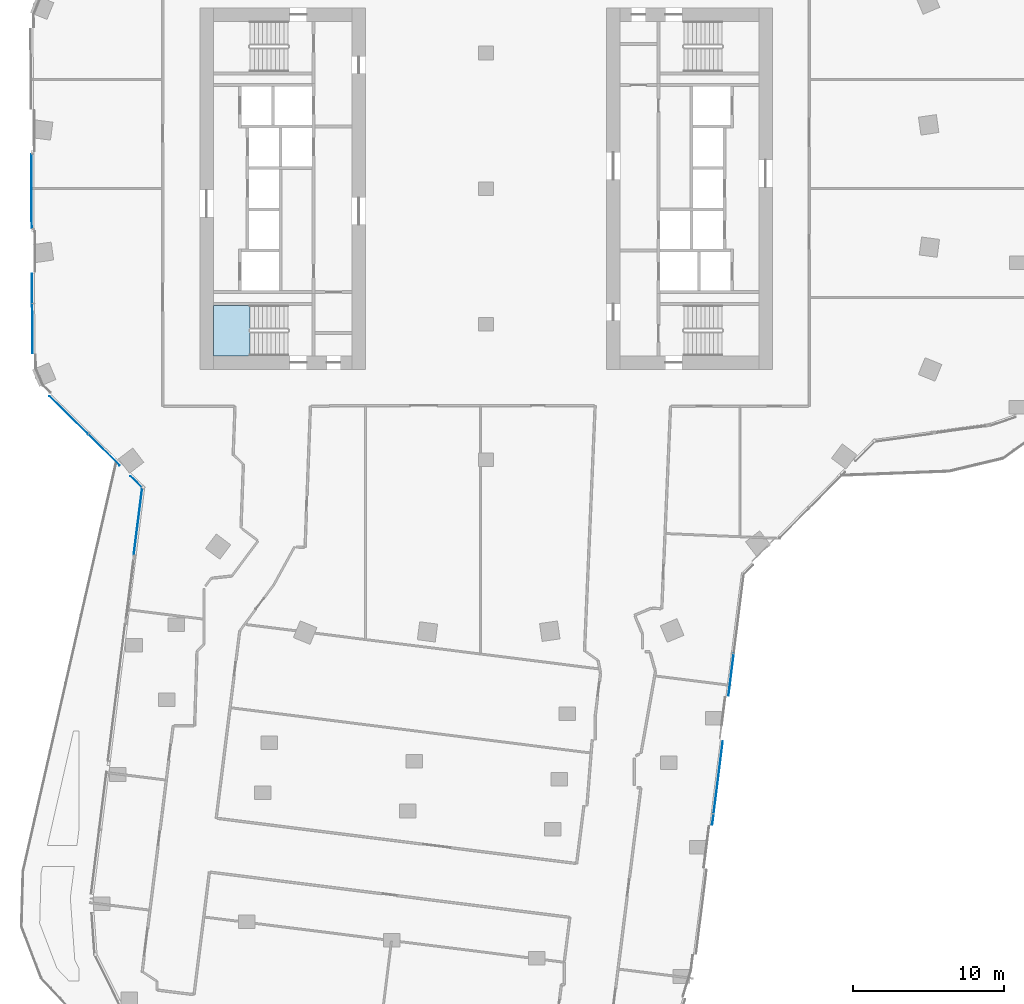
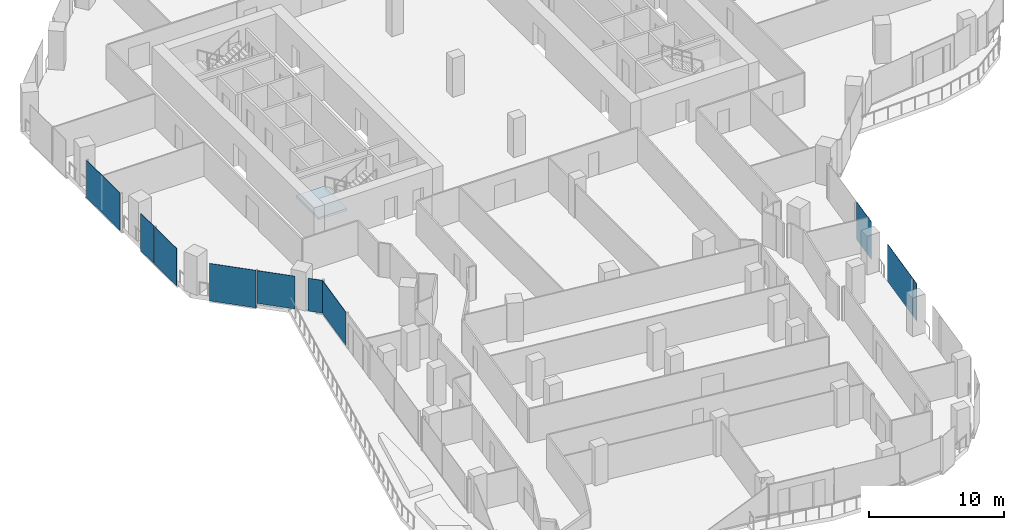
# One storey, part 14 of 29: 10 plates, 1 slab, 5 elements without a shape of their own.
"""IFC4 building model written with IfcOpenShell, lengths in metres."""

from ifc_helpers import new_model, si_unit, direction, frame, origin, origin_2d, place, context, subcontext, project, spatial, polyline, rectangle, outline, extrude, material, layer, layer_set, type_object, element, aggregate, save


model = new_model("IFC4")

# Units and contexts
model_context = context("Model", 3, precision=1e-05, world=origin(), true_north=direction((0.0, 1.0)))
body_context = subcontext(model_context, "Body", "Model", "MODEL_VIEW")
ifc_project = project(units=[si_unit("LENGTHUNIT", "METRE"), si_unit("AREAUNIT", "SQUARE_METRE"), si_unit("VOLUMEUNIT", "CUBIC_METRE"), si_unit("PLANEANGLEUNIT", "RADIAN"), si_unit("MASSUNIT", "GRAM", prefix="KILO")], contexts=[model_context])

# Site, building, storey
site_placement = place(None, origin())
site = spatial("IfcSite", under=ifc_project, at=site_placement, CompositionType="ELEMENT")
building_placement = place(site_placement, origin())
building = spatial("IfcBuilding", under=site, at=building_placement, Name="Orlundy Tower", CompositionType="ELEMENT")
storey_placement = place(building_placement, frame((0.0, 0.0, 188.60009765625)))
storey = spatial("IfcBuildingStorey", under=building, at=storey_placement, Name="L49", CompositionType="ELEMENT", Elevation=188.60009765625)

# Curtain wall, plate
ifc_material_1 = material(Name="Aluminium bronze anodised", Category="aluminium")
curtain_wall_type = type_object("IfcCurtainWallType", Name="CW1 wall", PredefinedType="NOTDEFINED", material=ifc_material_1)
curtain_wall_1_placement = place(storey_placement, origin())
curtain_wall_1 = element("IfcCurtainWall", 1, at=curtain_wall_1_placement, inside=storey, type_object=curtain_wall_type, Name="CW1 run 00", PredefinedType="NOTDEFINED")
ifc_material_2 = material(Name="Tinted glass", Category="glass")
ifc_layer_1 = layer(ifc_material_2, 0.031982421875)
ifc_layer_set_1 = layer_set([ifc_layer_1], Name="CW1 glass panel 32")
plate_type = type_object("IfcPlateType", Name="CW1 glass panel 32", PredefinedType="CURTAIN_PANEL", material=ifc_layer_set_1)
plate_1_placement = place(storey_placement, frame((-23.099365234375, -22.08056640625, 0.119873046875), z_axis=(0.0, 0.0, 1.0), x_axis=(0.124763360518, 0.992186526754, 0.0)))
plate_1 = element("IfcPlate", 2, at=plate_1_placement, type_object=plate_type, Name="CW1 panel", PredefinedType="CURTAIN_PANEL", context=body_context, shape_type="SweptSolid", body=[
    extrude(rectangle(XDim=4.48291015625, YDim=0.031982421875, at=origin_2d()), origin(), (0.0, 0.0, 1.0), 2.9599609375),
])
aggregate(curtain_wall_1, [plate_1])

# Curtain wall, plates
curtain_wall_2_placement = place(storey_placement, origin())
curtain_wall_2 = element("IfcCurtainWall", 3, at=curtain_wall_2_placement, inside=storey, type_object=curtain_wall_type, Name="CW1 run 01", PredefinedType="NOTDEFINED")
plate_2_placement = place(storey_placement, frame((-23.206298828125, -19.474853515625, 0.119873046875), z_axis=(0.0, 0.0, 1.0), x_axis=(-0.711197941896, 0.702991811789, 0.0)))
plate_2 = element("IfcPlate", 4, at=plate_2_placement, type_object=plate_type, Name="CW1 panel", PredefinedType="CURTAIN_PANEL", context=body_context, shape_type="SweptSolid", body=[
    extrude(rectangle(XDim=1.086669921875, YDim=0.031982421875, at=origin_2d()), origin(), (0.0, 0.0, 1.0), 2.9599609375),
])
plate_3_placement = place(storey_placement, frame((-25.350830078125, -17.35498046875, 0.119873046875), z_axis=(0.0, 0.0, 1.0), x_axis=(-0.711197941896, 0.702991811789, 0.0)))
plate_3 = element("IfcPlate", 5, at=plate_3_placement, type_object=plate_type, Name="CW1 panel", PredefinedType="CURTAIN_PANEL", context=body_context, shape_type="SweptSolid", body=[
    extrude(rectangle(XDim=2.90673828125, YDim=0.031982421875, at=origin_2d()), origin(), (0.0, 0.0, 1.0), 2.9599609375),
])
plate_4_placement = place(storey_placement, frame((-27.691162109375, -15.04150390625, -0.300048828125), z_axis=(0.0, 0.0, 1.0), x_axis=(-0.711197941896, 0.702991811789, 0.0)))
plate_4 = element("IfcPlate", 6, at=plate_4_placement, type_object=plate_type, Name="CW1 panel", PredefinedType="CURTAIN_PANEL", context=body_context, shape_type="SweptSolid", body=[
    extrude(rectangle(XDim=3.57470703125, YDim=0.031982421875, at=origin_2d()), origin(), (0.0, 0.0, 1.0), 3.3798828125),
])
aggregate(curtain_wall_2, [plate_2, plate_3, plate_4])

curtain_wall_3_placement = place(storey_placement, origin())
curtain_wall_3 = element("IfcCurtainWall", 7, at=curtain_wall_3_placement, inside=storey, type_object=curtain_wall_type, Name="CW1 run 02", PredefinedType="NOTDEFINED")
plate_5_placement = place(storey_placement, frame((-30.1103515625, -9.28466796875, -0.300048828125), z_axis=(0.0, 0.0, 1.0), x_axis=(-0.005834206419, 0.999982980873, 0.0)))
plate_5 = element("IfcPlate", 8, at=plate_5_placement, type_object=plate_type, Name="CW1 panel", PredefinedType="CURTAIN_PANEL", context=body_context, shape_type="SweptSolid", body=[
    extrude(rectangle(XDim=3.256591796875, YDim=0.031982421875, at=origin_2d()), origin(), (0.0, 0.0, 1.0), 3.3798828125),
])
plate_6_placement = place(storey_placement, frame((-30.125732421875, -6.6298828125, -0.300048828125), z_axis=(0.0, 0.0, 1.0), x_axis=(-0.005834206419, 0.999982980873, 0.0)))
plate_6 = element("IfcPlate", 9, at=plate_6_placement, type_object=plate_type, Name="CW1 panel", PredefinedType="CURTAIN_PANEL", context=body_context, shape_type="SweptSolid", body=[
    extrude(rectangle(XDim=1.953125, YDim=0.031982421875, at=origin_2d()), origin(), (0.0, 0.0, 1.0), 3.3798828125),
])
plate_7_placement = place(storey_placement, frame((-30.16357421875, -0.175537109375, -0.300048828125), z_axis=(0.0, 0.0, 1.0), x_axis=(-0.005834206419, 0.999982980873, 0.0)))
plate_7 = element("IfcPlate", 10, at=plate_7_placement, type_object=plate_type, Name="CW1 panel", PredefinedType="CURTAIN_PANEL", context=body_context, shape_type="SweptSolid", body=[
    extrude(rectangle(XDim=4.920654296875, YDim=0.031982421875, at=origin_2d()), origin(), (0.0, 0.0, 1.0), 3.3798828125),
])
aggregate(curtain_wall_3, [plate_5, plate_6, plate_7])

curtain_wall_4_placement = place(storey_placement, origin())
curtain_wall_4 = element("IfcCurtainWall", 11, at=curtain_wall_4_placement, inside=storey, type_object=curtain_wall_type, Name="CW1 run 018", PredefinedType="NOTDEFINED")
plate_8_placement = place(storey_placement, frame((16.265380859375, -32.2666015625, -0.300048828125), z_axis=(0.0, 0.0, 1.0), x_axis=(-0.124742379758, -0.992189164773, 0.0)))
plate_8 = element("IfcPlate", 12, at=plate_8_placement, type_object=plate_type, Name="CW1 panel", PredefinedType="CURTAIN_PANEL", context=body_context, shape_type="SweptSolid", body=[
    extrude(rectangle(XDim=2.77490234375, YDim=0.031982421875, at=origin_2d()), origin(), (0.0, 0.0, 1.0), 3.3798828125),
])
plate_9_placement = place(storey_placement, frame((15.409423828125, -39.075439453125, -0.300048828125), z_axis=(0.0, 0.0, 1.0), x_axis=(-0.124742379758, -0.992189164773, 0.0)))
plate_9 = element("IfcPlate", 13, at=plate_9_placement, type_object=plate_type, Name="CW1 panel", PredefinedType="CURTAIN_PANEL", context=body_context, shape_type="SweptSolid", body=[
    extrude(rectangle(XDim=4.8271484375, YDim=0.031982421875, at=origin_2d()), origin(), (0.0, 0.0, 1.0), 3.3798828125),
])
plate_10_placement = place(storey_placement, frame((15.05712890625, -41.875732421875, -0.300048828125), z_axis=(0.0, 0.0, 1.0), x_axis=(-0.124742379758, -0.992189164773, 0.0)))
plate_10 = element("IfcPlate", 14, at=plate_10_placement, type_object=plate_type, Name="CW1 panel", PredefinedType="CURTAIN_PANEL", context=body_context, shape_type="SweptSolid", body=[
    extrude(rectangle(XDim=0.718017578125, YDim=0.031982421875, at=origin_2d()), origin(), (0.0, 0.0, 1.0), 3.3798828125),
])
aggregate(curtain_wall_4, [plate_8, plate_9, plate_10])

# Stair, slab
ifc_material_3 = material(Name="Concrete C50/60", Category="concrete")
stair_type = type_object("IfcStairType", Name="Exit Stair 20 risers", PredefinedType="HALF_TURN_STAIR", material=ifc_material_3)
stair_placement = place(storey_placement, origin())
stair = element("IfcStair", 15, at=stair_placement, inside=storey, type_object=stair_type, Name="L49 Exit Stair ST-W2", PredefinedType="HALF_TURN_STAIR")
ifc_material_4 = material(Name="Concrete C50/60", Category="concrete")
ifc_layer_2 = layer(ifc_material_4, 0.199951171875)
ifc_layer_set_2 = layer_set([ifc_layer_2], Name="Exit Stair Landing")
slab_type = type_object("IfcSlabType", Name="Exit Stair Landing", PredefinedType="LANDING", material=ifc_layer_set_2)
slab_placement = place(storey_placement, frame((0.0, 0.0, 1.5498046875)))
slab = element("IfcSlab", 16, at=slab_placement, type_object=slab_type, Name="ST-W2 landing 1", PredefinedType="LANDING", context=body_context, shape_type="SweptSolid", body=[
    extrude(outline(polyline([(-15.659912109375, -7.75), (-18.10009765625, -7.75), (-18.10009765625, -11.10009765625), (-15.659912109375, -11.10009765625), (-15.659912109375, -7.75)])), origin(), (0.0, 0.0, 1.0), 0.2001953125),
])
aggregate(stair, [slab])

save(model, "model.ifc")
